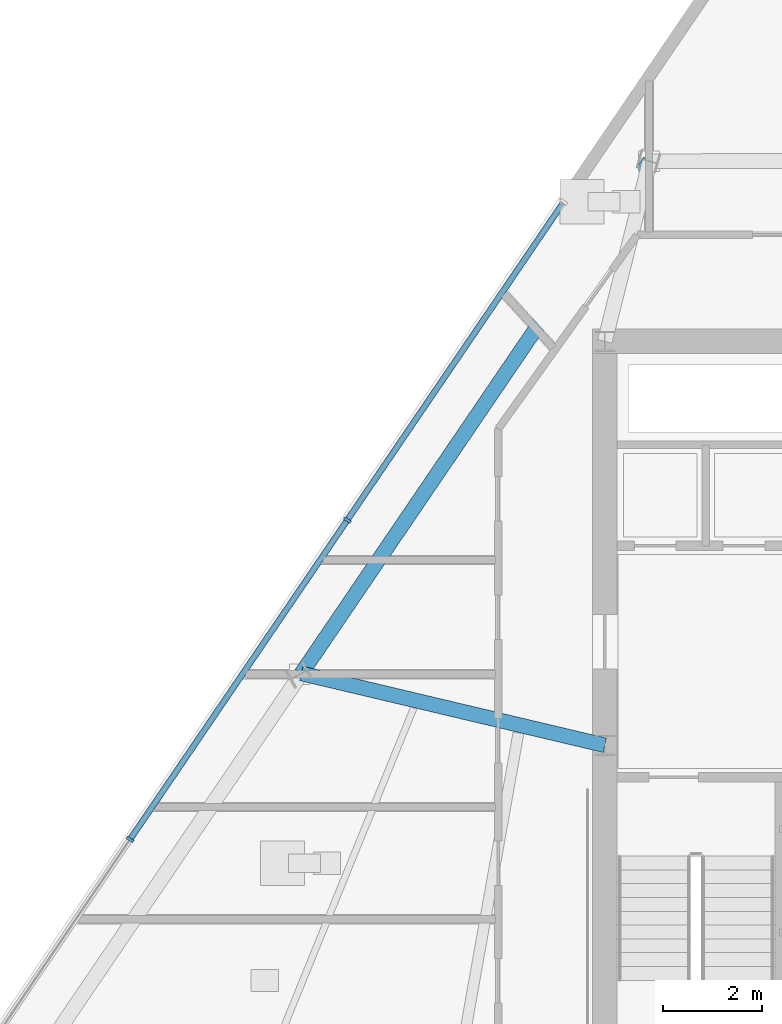
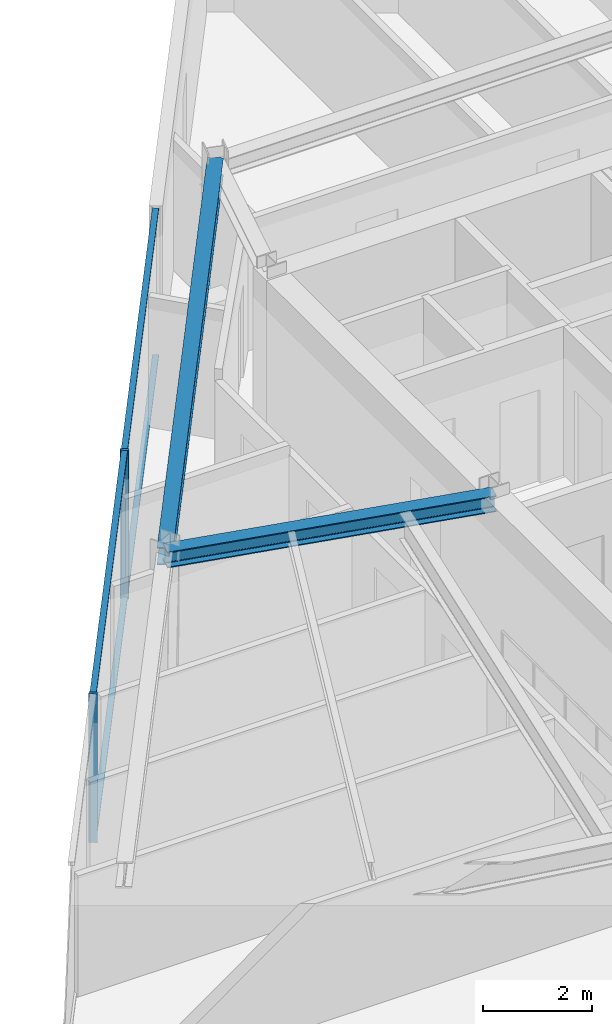
# One storey, part 4 of 15: 6 members, 2 beams, 1 element without a shape of its own.
"""IFC4 building model written with IfcOpenShell, lengths in metres."""

from ifc_helpers import new_model, si_unit, direction, frame, origin, origin_2d, place, context, subcontext, project, spatial, rectangle, i_section, extrude, material, material_profile, profile_set, type_object, element, aggregate, save


model = new_model("IFC4")

# Units and contexts
model_context = context("Model", 3, precision=1e-05, world=origin(), true_north=direction((0.0, 1.0)))
body_context = subcontext(model_context, "Body", "Model", "MODEL_VIEW")
ifc_project = project(units=[si_unit("LENGTHUNIT", "METRE"), si_unit("AREAUNIT", "SQUARE_METRE"), si_unit("VOLUMEUNIT", "CUBIC_METRE"), si_unit("PLANEANGLEUNIT", "RADIAN"), si_unit("MASSUNIT", "GRAM", prefix="KILO")], contexts=[model_context])

# Site, building, storey
site_placement = place(None, origin())
site = spatial("IfcSite", under=ifc_project, at=site_placement, CompositionType="ELEMENT")
building_placement = place(site_placement, origin())
building = spatial("IfcBuilding", under=site, at=building_placement, Name="Savorim Split Tower", CompositionType="ELEMENT")
storey_placement = place(building_placement, frame((0.0, 0.0, 163.800048828125)))
storey = spatial("IfcBuildingStorey", under=building, at=storey_placement, Name="L43", CompositionType="ELEMENT", Elevation=163.800048828125)

# Beams
ifc_material_1 = material(Name="Steel S355", Category="steel")
ifc_material_profile_1 = material_profile(ifc_material_1, i_section(OverallWidth=0.300048828125, OverallDepth=0.360107421875, WebThickness=0.012451171875, FlangeThickness=0.0224609375, FilletRadius=0.027099609375, at=origin_2d()), Name="HEB 360")
ifc_profile_set_1 = profile_set([ifc_material_profile_1], Name="Steel S355")
beam_type_1 = type_object("IfcBeamType", Name="BM-PRI-HEB360", PredefinedType="BEAM", material=ifc_profile_set_1)
beam_1_placement = place(storey_placement, frame((-13.859619140625, 3.458740234375, 3.169921875), z_axis=(0.973084839655, -0.23044716278, 0.0), x_axis=(0.23044716278, 0.973084839655, 0.0)))
element("IfcBeam", 1, at=beam_1_placement, inside=storey, type_object=beam_type_1, Name="L43 Primary Floor Girder RG-09", PredefinedType="BEAM", context=body_context, shape_type="SweptSolid", body=[
    extrude(i_section(OverallWidth=0.300048828125, OverallDepth=0.360107421875, WebThickness=0.012451171875, FlangeThickness=0.0224609375, FilletRadius=0.027099609375, at=origin_2d()), origin(), (0.0, 0.0, 1.0), 6.330078125),
])
ifc_material_profile_2 = material_profile(ifc_material_1, i_section(OverallWidth=0.300048828125, OverallDepth=0.389892578125, WebThickness=0.010986328125, FlangeThickness=0.01904296875, FilletRadius=0.027099609375, at=origin_2d()), Name="HEA 400")
ifc_profile_set_2 = profile_set([ifc_material_profile_2], Name="Steel S355")
beam_type_2 = type_object("IfcBeamType", Name="BM-SPN-HEA400", PredefinedType="SPANDREL", material=ifc_profile_set_2)
beam_2_placement = place(storey_placement, frame((-6.7880859375, 13.853759765625, 3.155029296875), z_axis=(-0.562468825454, -0.826818493015, 0.0), x_axis=(0.826818493015, -0.562468825454, 0.0)))
element("IfcBeam", 2, at=beam_2_placement, inside=storey, type_object=beam_type_2, Name="L43 Perimeter Spandrel Beam 8", PredefinedType="SPANDREL", context=body_context, shape_type="SweptSolid", body=[
    extrude(i_section(OverallWidth=0.300048828125, OverallDepth=0.389892578125, WebThickness=0.010986328125, FlangeThickness=0.01904296875, FilletRadius=0.027099609375, at=origin_2d()), origin(), (0.0, 0.0, 1.0), 12.572265625),
])

# Curtain wall, members
ifc_material_2 = material(Name="Dark Ceramic-Fritted Insulated Glass", Category="glass")
curtain_wall_type = type_object("IfcCurtainWallType", Name="CW-TWR-FRIT-B", PredefinedType="NOTDEFINED", material=ifc_material_2)
curtain_wall_placement = place(storey_placement, origin())
curtain_wall = element("IfcCurtainWall", 3, at=curtain_wall_placement, inside=storey, type_object=curtain_wall_type, Name="L43 Curtain Wall CW-L43-WEST", PredefinedType="NOTDEFINED")
ifc_material_3 = material(Name="Charcoal Anodised Aluminium", Category="aluminium")
ifc_material_profile_3 = material_profile(ifc_material_3, rectangle(XDim=0.159912109375, YDim=0.06005859375, at=origin_2d()), Name="ALU-M 160x60")
ifc_profile_set_3 = profile_set([ifc_material_profile_3], Name="Charcoal Anodised Aluminium")
member_type_1 = type_object("IfcMemberType", Name="CWM-160x60", PredefinedType="MULLION", material=ifc_profile_set_3)
member_1_placement = place(storey_placement, frame((-12.926513671875, 6.571533203125, 0.0), z_axis=(0.0, 0.0, 1.0), x_axis=(0.826819248854, -0.562467714384, 0.0)))
member_1 = element("IfcMember", 4, at=member_1_placement, type_object=member_type_1, Name="CW-03 mullion 2", PredefinedType="MULLION", context=body_context, shape_type="SweptSolid", body=[
    extrude(rectangle(XDim=0.159912109375, YDim=0.06005859375, at=origin_2d()), origin(), (0.0, 0.0, 1.0), 3.349853515625),
])
member_2_placement = place(storey_placement, frame((-17.336181640625, 0.089599609375, 0.0), z_axis=(0.0, 0.0, 1.0), x_axis=(0.826819248854, -0.562467714384, 0.0)))
member_2 = element("IfcMember", 5, at=member_2_placement, type_object=member_type_1, Name="CW-03 mullion 3", PredefinedType="MULLION", context=body_context, shape_type="SweptSolid", body=[
    extrude(rectangle(XDim=0.159912109375, YDim=0.06005859375, at=origin_2d()), origin(), (0.0, 0.0, 1.0), 3.349853515625),
])
ifc_material_profile_4 = material_profile(ifc_material_3, rectangle(XDim=0.1201171875, YDim=0.050048828125, at=origin_2d()), Name="ALU-T 120x50")
ifc_profile_set_4 = profile_set([ifc_material_profile_4], Name="Charcoal Anodised Aluminium")
member_type_2 = type_object("IfcMemberType", Name="CWT-120x50", PredefinedType="USERDEFINED", material=ifc_profile_set_4)
member_3_placement = place(storey_placement, frame((-8.55078125, 13.00390625, 0.02490234375), z_axis=(-0.56245477499, -0.826828051103, 0.0), x_axis=(0.826828051103, -0.56245477499, 0.0)))
member_3 = element("IfcMember", 6, at=member_3_placement, type_object=member_type_2, Name="CW-03 transom 1.1", ObjectType="TRANSOM", PredefinedType="USERDEFINED", context=body_context, shape_type="SweptSolid", body=[
    extrude(rectangle(XDim=0.1201171875, YDim=0.050048828125, at=origin_2d()), origin(), (0.0, 0.0, 1.0), 7.749755859375),
])
member_4_placement = place(storey_placement, frame((-8.55078125, 13.00390625, 3.324951171875), z_axis=(-0.56245477499, -0.826828051103, 0.0), x_axis=(0.826828051103, -0.56245477499, 0.0)))
member_4 = element("IfcMember", 7, at=member_4_placement, type_object=member_type_2, Name="CW-03 transom 1.2", ObjectType="TRANSOM", PredefinedType="USERDEFINED", context=body_context, shape_type="SweptSolid", body=[
    extrude(rectangle(XDim=0.1201171875, YDim=0.050048828125, at=origin_2d()), origin(), (0.0, 0.0, 1.0), 7.749755859375),
])
member_5_placement = place(storey_placement, frame((-12.943359375, 6.546630859375, 0.02490234375), z_axis=(-0.562497133678, -0.826799234763, 0.0), x_axis=(0.826799234763, -0.562497133678, 0.0)))
member_5 = element("IfcMember", 8, at=member_5_placement, type_object=member_type_2, Name="CW-03 transom 2.1", ObjectType="TRANSOM", PredefinedType="USERDEFINED", context=body_context, shape_type="SweptSolid", body=[
    extrude(rectangle(XDim=0.1201171875, YDim=0.050048828125, at=origin_2d()), origin(), (0.0, 0.0, 1.0), 7.779541015625),
])
member_6_placement = place(storey_placement, frame((-12.943359375, 6.546630859375, 3.324951171875), z_axis=(-0.562497133678, -0.826799234763, 0.0), x_axis=(0.826799234763, -0.562497133678, 0.0)))
member_6 = element("IfcMember", 9, at=member_6_placement, type_object=member_type_2, Name="CW-03 transom 2.2", ObjectType="TRANSOM", PredefinedType="USERDEFINED", context=body_context, shape_type="SweptSolid", body=[
    extrude(rectangle(XDim=0.1201171875, YDim=0.050048828125, at=origin_2d()), origin(), (0.0, 0.0, 1.0), 7.779541015625),
])
aggregate(curtain_wall, [member_1, member_2, member_3, member_4, member_5, member_6])

save(model, "model.ifc")
